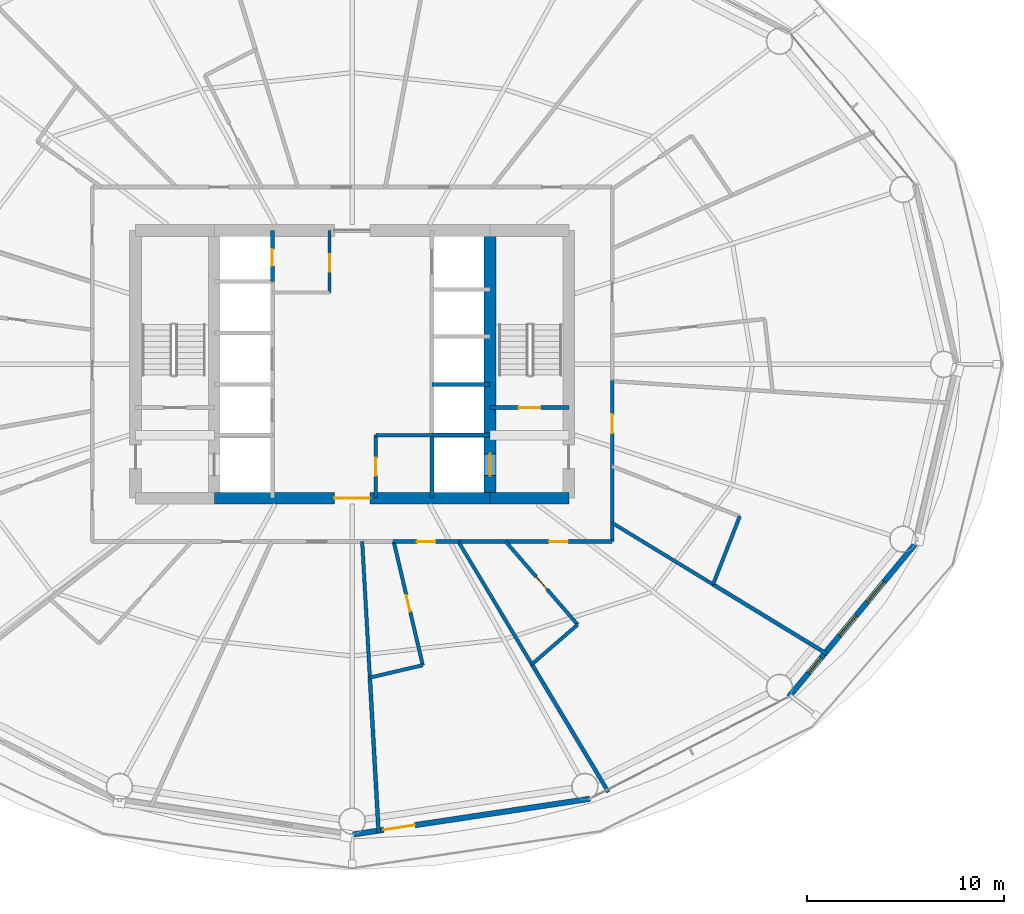
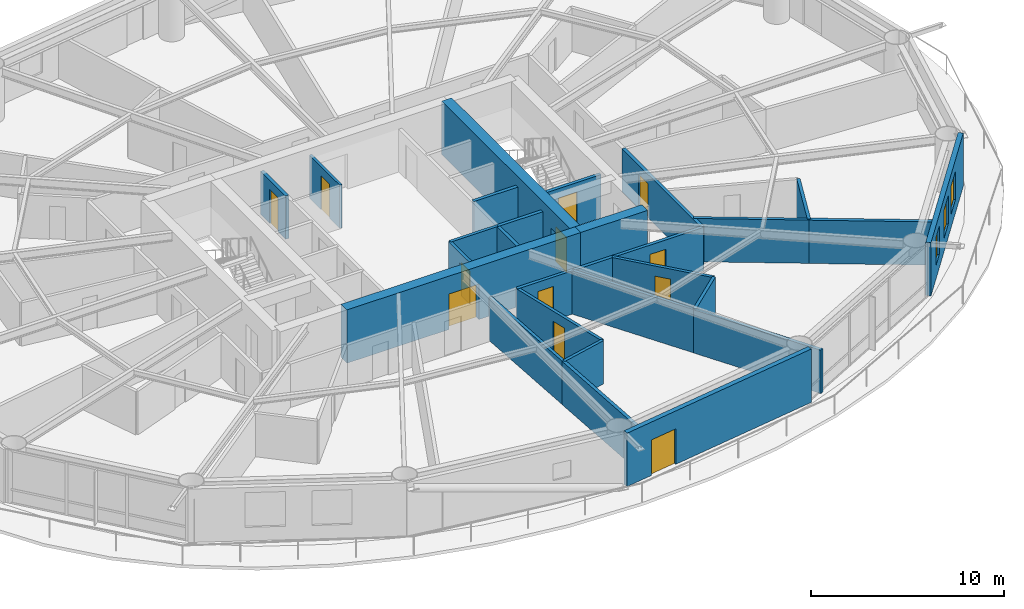
# One storey, part 21 of 26: 27 walls, 12 doors, 3 windows, 15 openings.
"""IFC4 building model written with IfcOpenShell, lengths in metres."""

from ifc_helpers import new_model, si_unit, direction, frame, frame_2d, origin, place, context, subcontext, project, spatial, rectangle, extrude, material, layer, layer_set, type_object, element, fill, save


model = new_model("IFC4")

# Units and contexts
model_context = context("Model", 3, precision=1e-05, world=origin(), true_north=direction((0.0, 1.0)))
body_context = subcontext(model_context, "Body", "Model", "MODEL_VIEW")
ifc_project = project(units=[si_unit("LENGTHUNIT", "METRE"), si_unit("AREAUNIT", "SQUARE_METRE"), si_unit("VOLUMEUNIT", "CUBIC_METRE"), si_unit("PLANEANGLEUNIT", "RADIAN"), si_unit("MASSUNIT", "GRAM", prefix="KILO")], contexts=[model_context])

# Site, building, storey
site_placement = place(None, origin())
site = spatial("IfcSite", under=ifc_project, at=site_placement, CompositionType="ELEMENT")
building_placement = place(site_placement, origin())
building = spatial("IfcBuilding", under=site, at=building_placement, Name="Sarneth Arch Tower", CompositionType="ELEMENT")
storey_placement = place(building_placement, frame((0.0, 0.0, 57.0)))
storey = spatial("IfcBuildingStorey", under=building, at=storey_placement, Name="L13", CompositionType="ELEMENT", Elevation=57.0)

# Wall, opening, door
ifc_material_1 = material(Name="Concrete C60/75", Category="concrete")
ifc_layer_1 = layer(ifc_material_1, 0.60009765625)
ifc_layer_set_1 = layer_set([ifc_layer_1], Name="Concrete C60/75")
wall_type_1 = type_object("IfcWallType", Name="WALL-CORE-600", PredefinedType="SHEAR", material=ifc_layer_set_1)
wall_1_placement = place(storey_placement, frame((41.0, 35.199951171875, 0.0), z_axis=(0.0, 0.0, 1.0), x_axis=(1.0, 0.0, 0.0)))
wall_1 = element("IfcWall", 1, at=wall_1_placement, inside=storey, type_object=wall_type_1, Name="L13 Core shear wall S-M", PredefinedType="SHEAR", context=body_context, shape_type="SweptSolid", body=[
    extrude(rectangle(XDim=14.0, YDim=0.60009765625, at=frame_2d((7.0, 0.0))), origin(), (0.0, 0.0, 1.0), 3.3798828125),
])
opening_1_placement = place(wall_1_placement, frame((6.10009765625, 0.0, 0.0)))
opening_1 = element("IfcOpeningElement", 2, at=opening_1_placement, cuts=wall_1, Name="Opening FD-01", PredefinedType="OPENING", context=body_context, shape_type="SweptSolid", body=[
    extrude(rectangle(XDim=1.800048828125, YDim=2.25, at=frame_2d((0.89990234375, 1.125))), frame((0.0, 0.31005859375, 0.0), z_axis=(0.0, -1.0, 0.0), x_axis=(1.0, 0.0, 0.0)), (0.0, 0.0, 1.0), 0.6201171875),
])
ifc_material_2 = material(Name="Galvanised Steel S275 fire door set", Category="steel")
door_type_1 = type_object("IfcDoorType", Name="DR-FD90-1800", OperationType="DOUBLE_DOOR_SINGLE_SWING", PredefinedType="DOOR", material=ifc_material_2)
door_1_placement = place(opening_1_placement, origin())
door_1 = element("IfcDoor", 3, at=door_1_placement, inside=storey, type_object=door_type_1, Name="L13 Central lift lobby south door", OperationType="DOUBLE_DOOR_SINGLE_SWING", OverallHeight=2.25, OverallWidth=1.800048828125, PredefinedType="DOOR", context=body_context, shape_type="SweptSolid", body=[
    extrude(rectangle(XDim=1.800048828125, YDim=2.25, at=frame_2d((0.89990234375, 1.125))), frame((0.0, 0.02490234375, 0.0), z_axis=(0.0, -1.0, 0.0), x_axis=(1.0, 0.0, 0.0)), (0.0, 0.0, 1.0), 0.050048828125),
])
fill(opening_1, door_1)

# Wall
wall_2_placement = place(storey_placement, frame((55.0, 35.199951171875, 0.0), z_axis=(0.0, 0.0, 1.0), x_axis=(1.0, 0.0, 0.0)))
element("IfcWall", 4, at=wall_2_placement, inside=storey, type_object=wall_type_1, Name="L13 Core shear wall S-E", PredefinedType="SHEAR", context=body_context, shape_type="SweptSolid", body=[
    extrude(rectangle(XDim=4.0, YDim=0.60009765625, at=frame_2d((2.0, 0.0))), origin(), (0.0, 0.0, 1.0), 3.3798828125),
])

# Wall, opening, door
wall_3_placement = place(storey_placement, frame((55.0, 35.199951171875, 0.0), z_axis=(0.0, 0.0, 1.0), x_axis=(0.0, 1.0, 0.0)))
wall_3 = element("IfcWall", 5, at=wall_3_placement, inside=storey, type_object=wall_type_1, Name="L13 Core shear wall WEB-E", PredefinedType="SHEAR", context=body_context, shape_type="SweptSolid", body=[
    extrude(rectangle(XDim=13.60009765625, YDim=0.60009765625, at=frame_2d((6.800048828125, 0.0))), origin(), (0.0, 0.0, 1.0), 3.3798828125),
])
opening_2_placement = place(wall_3_placement, frame((1.14990234375, 0.0, 0.0)))
opening_2 = element("IfcOpeningElement", 6, at=opening_2_placement, cuts=wall_3, Name="Opening LD-1", PredefinedType="OPENING", context=body_context, shape_type="SweptSolid", body=[
    extrude(rectangle(XDim=1.10009765625, YDim=2.199951171875, at=frame_2d((0.550048828125, 1.10009765625))), frame((0.0, 0.31005859375, 0.0), z_axis=(0.0, -1.0, 0.0), x_axis=(1.0, 0.0, 0.0)), (0.0, 0.0, 1.0), 0.6201171875),
])
ifc_material_3 = material(Name="Brushed Stainless Steel 304 lift landing door", Category="steel")
door_type_2 = type_object("IfcDoorType", Name="DR-LIFT-SLIDE-1100", OperationType="SLIDING_TO_LEFT", PredefinedType="DOOR", material=ifc_material_3)
door_2_placement = place(opening_2_placement, origin())
door_2 = element("IfcDoor", 7, at=door_2_placement, inside=storey, type_object=door_type_2, Name="L13 Firefighting lift landing door FL-2", OperationType="SLIDING_TO_RIGHT", OverallHeight=2.199951171875, OverallWidth=1.10009765625, PredefinedType="DOOR", context=body_context, shape_type="SweptSolid", body=[
    extrude(rectangle(XDim=1.10009765625, YDim=2.199951171875, at=frame_2d((0.550048828125, 1.10009765625))), frame((0.0, 0.02490234375, 0.0), z_axis=(0.0, -1.0, 0.0), x_axis=(1.0, 0.0, 0.0)), (0.0, 0.0, 1.0), 0.050048828125),
])
fill(opening_2, door_2)

ifc_material_4 = material(Name="Double steel-stud corridor fire wall", Category="steel")
ifc_layer_2 = layer(ifc_material_4, 0.18994140625)
ifc_layer_set_2 = layer_set([ifc_layer_2], Name="Double steel-stud corridor fire wall")
wall_type_2 = type_object("IfcWallType", Name="WALL-CORR-190", PredefinedType="PARTITIONING", material=ifc_layer_set_2)
wall_4_placement = place(storey_placement, frame((61.199951171875, 33.0, 0.0), z_axis=(0.0, 0.0, 1.0), x_axis=(-1.0, 0.0, 0.0)))
wall_4 = element("IfcWall", 8, at=wall_4_placement, inside=storey, type_object=wall_type_2, Name="L13 Interior partition W-L13-TP-022", PredefinedType="PARTITIONING", context=body_context, shape_type="SweptSolid", body=[
    extrude(rectangle(XDim=7.845947265625, YDim=0.18994140625, at=frame_2d((3.9228515625, 0.0))), origin(), (0.0, 0.0, 1.0), 2.739990234375),
])
opening_3_placement = place(wall_4_placement, frame((2.249267578125, 0.0, 0.0)))
opening_3 = element("IfcOpeningElement", 9, at=opening_3_placement, cuts=wall_4, Name="Opening FD-09", PredefinedType="OPENING", context=body_context, shape_type="SweptSolid", body=[
    extrude(rectangle(XDim=0.949951171875, YDim=2.14990234375, at=frame_2d((0.47509765625, 1.074951171875))), frame((0.0, 0.10498046875, 0.0), z_axis=(0.0, -1.0, 0.0), x_axis=(1.0, 0.0, 0.0)), (0.0, 0.0, 1.0), 0.2099609375),
])
ifc_material_5 = material(Name="Hardwood timber hotel entrance fire door", Category="wood")
door_type_3 = type_object("IfcDoorType", Name="DR-FD60-950", OperationType="SINGLE_SWING_RIGHT", PredefinedType="DOOR", material=ifc_material_5)
door_3_placement = place(opening_3_placement, origin())
door_3 = element("IfcDoor", 10, at=door_3_placement, inside=storey, type_object=door_type_3, Name="L13 Interior door DR-L13-KEY-11", OperationType="SINGLE_SWING_LEFT", OverallHeight=2.14990234375, OverallWidth=0.949951171875, PredefinedType="DOOR", context=body_context, shape_type="SweptSolid", body=[
    extrude(rectangle(XDim=0.949951171875, YDim=2.14990234375, at=frame_2d((0.47509765625, 1.074951171875))), frame((0.0, 0.02490234375, 0.0), z_axis=(0.0, -1.0, 0.0), x_axis=(1.0, 0.0, 0.0)), (0.0, 0.0, 1.0), 0.050048828125),
])
fill(opening_3, door_3)

wall_5_placement = place(storey_placement, frame((61.199951171875, 41.180419921875, 0.0), z_axis=(0.0, 0.0, 1.0), x_axis=(0.0, -1.0, 0.0)))
wall_5 = element("IfcWall", 11, at=wall_5_placement, inside=storey, type_object=wall_type_2, Name="L13 Interior partition W-L13-TP-024", PredefinedType="PARTITIONING", context=body_context, shape_type="SweptSolid", body=[
    extrude(rectangle(XDim=8.180419921875, YDim=0.18994140625, at=frame_2d((4.09033203125, 0.0))), origin(), (0.0, 0.0, 1.0), 2.739990234375),
])
opening_4_placement = place(wall_5_placement, frame((1.720947265625, 0.0, 0.0)))
opening_4 = element("IfcOpeningElement", 12, at=opening_4_placement, cuts=wall_5, Name="Opening FD-09", PredefinedType="OPENING", context=body_context, shape_type="SweptSolid", body=[
    extrude(rectangle(XDim=0.949951171875, YDim=2.14990234375, at=frame_2d((0.47509765625, 1.074951171875))), frame((0.0, 0.10498046875, 0.0), z_axis=(0.0, -1.0, 0.0), x_axis=(1.0, 0.0, 0.0)), (0.0, 0.0, 1.0), 0.2099609375),
])
door_4_placement = place(opening_4_placement, origin())
door_4 = element("IfcDoor", 13, at=door_4_placement, inside=storey, type_object=door_type_3, Name="L13 Interior door DR-L13-KEY-12", OperationType="SINGLE_SWING_RIGHT", OverallHeight=2.14990234375, OverallWidth=0.949951171875, PredefinedType="DOOR", context=body_context, shape_type="SweptSolid", body=[
    extrude(rectangle(XDim=0.949951171875, YDim=2.14990234375, at=frame_2d((0.47509765625, 1.074951171875))), frame((0.0, 0.02490234375, 0.0), z_axis=(0.0, -1.0, 0.0), x_axis=(1.0, 0.0, 0.0)), (0.0, 0.0, 1.0), 0.050048828125),
])
fill(opening_4, door_4)

wall_6_placement = place(storey_placement, frame((53.4287109375, 33.0, 0.0), z_axis=(0.0, 0.0, 1.0), x_axis=(-1.0, 0.0, 0.0)))
wall_6 = element("IfcWall", 14, at=wall_6_placement, inside=storey, type_object=wall_type_2, Name="L13 Interior partition W-L13-TP-019", PredefinedType="PARTITIONING", context=body_context, shape_type="SweptSolid", body=[
    extrude(rectangle(XDim=3.350830078125, YDim=0.18994140625, at=frame_2d((1.67529296875, 0.0))), origin(), (0.0, 0.0, 1.0), 2.739990234375),
])
opening_5_placement = place(wall_6_placement, frame((1.2001953125, 0.0, 0.0)))
opening_5 = element("IfcOpeningElement", 15, at=opening_5_placement, cuts=wall_6, Name="Opening FD-09", PredefinedType="OPENING", context=body_context, shape_type="SweptSolid", body=[
    extrude(rectangle(XDim=0.949951171875, YDim=2.14990234375, at=frame_2d((0.47509765625, 1.074951171875))), frame((0.0, 0.10498046875, 0.0), z_axis=(0.0, -1.0, 0.0), x_axis=(1.0, 0.0, 0.0)), (0.0, 0.0, 1.0), 0.2099609375),
])
door_5_placement = place(opening_5_placement, origin())
door_5 = element("IfcDoor", 16, at=door_5_placement, inside=storey, type_object=door_type_3, Name="L13 Interior door DR-L13-KEY-10", OperationType="SINGLE_SWING_LEFT", OverallHeight=2.14990234375, OverallWidth=0.949951171875, PredefinedType="DOOR", context=body_context, shape_type="SweptSolid", body=[
    extrude(rectangle(XDim=0.949951171875, YDim=2.14990234375, at=frame_2d((0.47509765625, 1.074951171875))), frame((0.0, 0.02490234375, 0.0), z_axis=(0.0, -1.0, 0.0), x_axis=(1.0, 0.0, 0.0)), (0.0, 0.0, 1.0), 0.050048828125),
])
fill(opening_5, door_5)

ifc_material_6 = material(Name="Extruded terracotta rainscreen on Concrete C40/50 backing", Category="masonry")
ifc_layer_3 = layer(ifc_material_6, 0.280029296875)
ifc_layer_set_3 = layer_set([ifc_layer_3], Name="Extruded terracotta rainscreen on Concrete C40/50 backing")
wall_type_3 = type_object("IfcWallType", Name="WALL-EXT-TERRA-280", PredefinedType="SOLIDWALL", material=ifc_layer_set_3)
wall_7_placement = place(storey_placement, frame((48.0, 18.1201171875, 0.0), z_axis=(0.0, 0.0, 1.0), x_axis=(0.988864835849, 0.148816452121, 0.0)))
wall_7 = element("IfcWall", 17, at=wall_7_placement, inside=storey, type_object=wall_type_3, Name="L13 Terracotta perimeter wall 13", PredefinedType="SOLIDWALL", context=body_context, shape_type="SweptSolid", body=[
    extrude(rectangle(XDim=12.2138671875, YDim=0.280029296875, at=frame_2d((6.10693359375, 0.0))), origin(), (0.0, 0.0, 1.0), 3.3798828125),
])
opening_6_placement = place(wall_7_placement, frame((1.62060546875, 0.0, 0.0)))
opening_6 = element("IfcOpeningElement", 18, at=opening_6_placement, cuts=wall_7, Name="Opening BD-1", PredefinedType="OPENING", context=body_context, shape_type="SweptSolid", body=[
    extrude(rectangle(XDim=1.60009765625, YDim=2.25, at=frame_2d((0.800048828125, 1.125))), frame((0.0, 0.14990234375, 0.0), z_axis=(0.0, -1.0, 0.0), x_axis=(1.0, 0.0, 0.0)), (0.0, 0.0, 1.0), 0.300048828125),
])
ifc_material_7 = material(Name="Thermally broken Aluminium 6063-T6 and laminated safety glass", Category="aluminium")
door_type_4 = type_object("IfcDoorType", Name="DR-BALC-GLZ-1600", OperationType="DOUBLE_DOOR_SINGLE_SWING", PredefinedType="DOOR", material=ifc_material_7)
door_6_placement = place(opening_6_placement, origin())
door_6 = element("IfcDoor", 19, at=door_6_placement, inside=storey, type_object=door_type_4, Name="L13 Balcony glazed door 13", OperationType="DOUBLE_DOOR_SINGLE_SWING", OverallHeight=2.25, OverallWidth=1.60009765625, PredefinedType="DOOR", context=body_context, shape_type="SweptSolid", body=[
    extrude(rectangle(XDim=1.60009765625, YDim=2.25, at=frame_2d((0.800048828125, 1.125))), frame((0.0, 0.02490234375, 0.0), z_axis=(0.0, -1.0, 0.0), x_axis=(1.0, 0.0, 0.0)), (0.0, 0.0, 1.0), 0.050048828125),
])
fill(opening_6, door_6)

# Wall, openings, windows
wall_8_placement = place(storey_placement, frame((70.174072265625, 25.1142578125, 0.0), z_axis=(0.0, 0.0, 1.0), x_axis=(0.637296809613, 0.770618437657, 0.0)))
wall_8 = element("IfcWall", 20, at=wall_8_placement, inside=storey, type_object=wall_type_3, Name="L13 Terracotta perimeter wall 15", PredefinedType="SOLIDWALL", context=body_context, shape_type="SweptSolid", body=[
    extrude(rectangle(XDim=10.053466796875, YDim=0.280029296875, at=frame_2d((5.02685546875, 0.0))), origin(), (0.0, 0.0, 1.0), 3.3798828125),
])
opening_7_placement = place(wall_8_placement, frame((1.565185546875, 0.0, 0.85009765625)))
opening_7 = element("IfcOpeningElement", 21, at=opening_7_placement, cuts=wall_8, Name="Opening W-11", PredefinedType="OPENING", context=body_context, shape_type="SweptSolid", body=[
    extrude(rectangle(XDim=1.0, YDim=1.800048828125, at=frame_2d((0.5, 0.89990234375))), frame((0.0, 0.14990234375, 0.0), z_axis=(0.0, -1.0, 0.0), x_axis=(1.0, 0.0, 0.0)), (0.0, 0.0, 1.0), 0.300048828125),
])
opening_8_placement = place(wall_8_placement, frame((4.02978515625, 0.0, 0.85009765625)))
opening_8 = element("IfcOpeningElement", 22, at=opening_8_placement, cuts=wall_8, Name="Opening W-08", PredefinedType="OPENING", context=body_context, shape_type="SweptSolid", body=[
    extrude(rectangle(XDim=1.35009765625, YDim=1.800048828125, at=frame_2d((0.675048828125, 0.89990234375))), frame((0.0, 0.14990234375, 0.0), z_axis=(0.0, -1.0, 0.0), x_axis=(1.0, 0.0, 0.0)), (0.0, 0.0, 1.0), 0.300048828125),
])
opening_9_placement = place(wall_8_placement, frame((6.24560546875, 0.0, 0.85009765625)))
opening_9 = element("IfcOpeningElement", 23, at=opening_9_placement, cuts=wall_8, Name="Opening W-08", PredefinedType="OPENING", context=body_context, shape_type="SweptSolid", body=[
    extrude(rectangle(XDim=1.35009765625, YDim=1.800048828125, at=frame_2d((0.675048828125, 0.89990234375))), frame((0.0, 0.14990234375, 0.0), z_axis=(0.0, -1.0, 0.0), x_axis=(1.0, 0.0, 0.0)), (0.0, 0.0, 1.0), 0.300048828125),
])
ifc_material_8 = material(Name="Thermally broken Aluminium 6063-T6 and low-e laminated IGU", Category="aluminium")
window_type_1 = type_object("IfcWindowType", Name="WIN-TWR-1000x1800", PartitioningType="SINGLE_PANEL", PredefinedType="WINDOW", material=ifc_material_8)
window_1_placement = place(opening_7_placement, origin())
window_1 = element("IfcWindow", 24, at=window_1_placement, inside=storey, type_object=window_type_1, Name="L13 Exterior window 15A", OverallHeight=1.800048828125, OverallWidth=1.0, PartitioningType="SINGLE_PANEL", PredefinedType="WINDOW", context=body_context, shape_type="SweptSolid", body=[
    extrude(rectangle(XDim=1.0, YDim=1.800048828125, at=frame_2d((0.5, 0.89990234375))), frame((0.0, 0.030029296875, 0.0), z_axis=(0.0, -1.0, 0.0), x_axis=(1.0, 0.0, 0.0)), (0.0, 0.0, 1.0), 0.06005859375),
])
fill(opening_7, window_1)
ifc_material_9 = material(Name="Thermally broken Aluminium 6063-T6 and low-e laminated IGU", Category="aluminium")
window_type_2 = type_object("IfcWindowType", Name="WIN-TWR-1350x1800", PartitioningType="SINGLE_PANEL", PredefinedType="WINDOW", material=ifc_material_9)
window_2_placement = place(opening_8_placement, origin())
window_2 = element("IfcWindow", 25, at=window_2_placement, inside=storey, type_object=window_type_2, Name="L13 Exterior window 15B", OverallHeight=1.800048828125, OverallWidth=1.35009765625, PartitioningType="SINGLE_PANEL", PredefinedType="WINDOW", context=body_context, shape_type="SweptSolid", body=[
    extrude(rectangle(XDim=1.35009765625, YDim=1.800048828125, at=frame_2d((0.675048828125, 0.89990234375))), frame((0.0, 0.030029296875, 0.0), z_axis=(0.0, -1.0, 0.0), x_axis=(1.0, 0.0, 0.0)), (0.0, 0.0, 1.0), 0.06005859375),
])
fill(opening_8, window_2)
window_3_placement = place(opening_9_placement, origin())
window_3 = element("IfcWindow", 26, at=window_3_placement, inside=storey, type_object=window_type_2, Name="L13 Exterior window 15C", OverallHeight=1.800048828125, OverallWidth=1.35009765625, PartitioningType="SINGLE_PANEL", PredefinedType="WINDOW", context=body_context, shape_type="SweptSolid", body=[
    extrude(rectangle(XDim=1.35009765625, YDim=1.800048828125, at=frame_2d((0.675048828125, 0.89990234375))), frame((0.0, 0.030029296875, 0.0), z_axis=(0.0, -1.0, 0.0), x_axis=(1.0, 0.0, 0.0)), (0.0, 0.0, 1.0), 0.06005859375),
])
fill(opening_9, window_3)

# Wall, opening, door
ifc_material_10 = material(Name="Acoustic gypsum stud partition", Category="gypsum")
ifc_layer_4 = layer(ifc_material_10, 0.14990234375)
ifc_layer_set_4 = layer_set([ifc_layer_4], Name="Acoustic gypsum stud partition")
wall_type_4 = type_object("IfcWallType", Name="WALL-PART-150", PredefinedType="PARTITIONING", material=ifc_layer_set_4)
wall_9_placement = place(storey_placement, frame((46.85009765625, 45.64990234375, 0.0), z_axis=(0.0, 0.0, 1.0), x_axis=(0.0, 1.0, 0.0)))
wall_9 = element("IfcWall", 27, at=wall_9_placement, inside=storey, type_object=wall_type_4, Name="L13 Interior partition W-L13-CSUP1-E", PredefinedType="PARTITIONING", context=body_context, shape_type="SweptSolid", body=[
    extrude(rectangle(XDim=3.150146484375, YDim=0.14990234375, at=frame_2d((1.5751953125, 0.0))), origin(), (0.0, 0.0, 1.0), 2.739990234375),
])
opening_10_placement = place(wall_9_placement, frame((1.050048828125, 0.0, 0.0)))
opening_10 = element("IfcOpeningElement", 28, at=opening_10_placement, cuts=wall_9, Name="Opening FD-10", PredefinedType="OPENING", context=body_context, shape_type="SweptSolid", body=[
    extrude(rectangle(XDim=0.89990234375, YDim=2.14990234375, at=frame_2d((0.449951171875, 1.074951171875))), frame((0.0, 0.0849609375, 0.0), z_axis=(0.0, -1.0, 0.0), x_axis=(1.0, 0.0, 0.0)), (0.0, 0.0, 1.0), 0.169921875),
])
ifc_material_11 = material(Name="Galvanised Steel S275 riser/service fire door", Category="steel")
door_type_5 = type_object("IfcDoorType", Name="DR-FD60-900", OperationType="SINGLE_SWING_LEFT", PredefinedType="DOOR", material=ifc_material_11)
door_7_placement = place(opening_10_placement, origin())
door_7 = element("IfcDoor", 29, at=door_7_placement, inside=storey, type_object=door_type_5, Name="L13 Interior door DR-L13-CSUP1", OperationType="SINGLE_SWING_LEFT", OverallHeight=2.14990234375, OverallWidth=0.89990234375, PredefinedType="DOOR", context=body_context, shape_type="SweptSolid", body=[
    extrude(rectangle(XDim=0.89990234375, YDim=2.14990234375, at=frame_2d((0.449951171875, 1.074951171875))), frame((0.0, 0.02490234375, 0.0), z_axis=(0.0, -1.0, 0.0), x_axis=(1.0, 0.0, 0.0)), (0.0, 0.0, 1.0), 0.050048828125),
])
fill(opening_10, door_7)

# Wall
ifc_material_12 = material(Name="Moisture-resistant plumbing chase wall", Category="gypsum")
ifc_layer_5 = layer(ifc_material_12, 0.179931640625)
ifc_layer_set_5 = layer_set([ifc_layer_5], Name="Moisture-resistant plumbing chase wall")
wall_type_5 = type_object("IfcWallType", Name="WALL-PLUMB-180", PredefinedType="PLUMBINGWALL", material=ifc_layer_set_5)
wall_10_placement = place(storey_placement, frame((49.199951171875, 38.39990234375, 0.0), z_axis=(0.0, 0.0, 1.0), x_axis=(1.0, 0.0, 0.0)))
element("IfcWall", 30, at=wall_10_placement, inside=storey, type_object=wall_type_5, Name="L13 Interior partition W-L13-AWC-N", PredefinedType="PLUMBINGWALL", context=body_context, shape_type="SweptSolid", body=[
    extrude(rectangle(XDim=2.85009765625, YDim=0.179931640625, at=frame_2d((1.425048828125, 0.0))), origin(), (0.0, 0.0, 1.0), 2.739990234375),
])

# Wall, opening, door
wall_11_placement = place(storey_placement, frame((49.199951171875, 35.199951171875, 0.0), z_axis=(0.0, 0.0, 1.0), x_axis=(0.0, 1.0, 0.0)))
wall_11 = element("IfcWall", 31, at=wall_11_placement, inside=storey, type_object=wall_type_5, Name="L13 Interior partition W-L13-AWC-W", PredefinedType="PLUMBINGWALL", context=body_context, shape_type="SweptSolid", body=[
    extrude(rectangle(XDim=3.199951171875, YDim=0.179931640625, at=frame_2d((1.60009765625, 0.0))), origin(), (0.0, 0.0, 1.0), 2.739990234375),
])
opening_11_placement = place(wall_11_placement, frame((1.14990234375, 0.0, 0.0)))
opening_11 = element("IfcOpeningElement", 32, at=opening_11_placement, cuts=wall_11, Name="Opening ID-01", PredefinedType="OPENING", context=body_context, shape_type="SweptSolid", body=[
    extrude(rectangle(XDim=0.89990234375, YDim=2.10009765625, at=frame_2d((0.449951171875, 1.050048828125))), frame((0.0, 0.099853515625, 0.0), z_axis=(0.0, -1.0, 0.0), x_axis=(1.0, 0.0, 0.0)), (0.0, 0.0, 1.0), 0.199951171875),
])
ifc_material_13 = material(Name="Engineered hardwood flush door", Category="wood")
door_type_6 = type_object("IfcDoorType", Name="DR-INT-900", OperationType="SINGLE_SWING_LEFT", PredefinedType="DOOR", material=ifc_material_13)
door_8_placement = place(opening_11_placement, origin())
door_8 = element("IfcDoor", 33, at=door_8_placement, inside=storey, type_object=door_type_6, Name="L13 Interior door DR-L13-AWC", OperationType="SINGLE_SWING_RIGHT", OverallHeight=2.10009765625, OverallWidth=0.89990234375, PredefinedType="DOOR", context=body_context, shape_type="SweptSolid", body=[
    extrude(rectangle(XDim=0.89990234375, YDim=2.10009765625, at=frame_2d((0.449951171875, 1.050048828125))), frame((0.0, 0.02490234375, 0.0), z_axis=(0.0, -1.0, 0.0), x_axis=(1.0, 0.0, 0.0)), (0.0, 0.0, 1.0), 0.050048828125),
])
fill(opening_11, door_8)

# Walls
wall_12_placement = place(storey_placement, frame((57.123779296875, 26.76904296875, 0.0), z_axis=(0.0, 0.0, 1.0), x_axis=(-0.513872793929, 0.857866394994, 0.0)))
element("IfcWall", 34, at=wall_12_placement, inside=storey, type_object=wall_type_5, Name="L13 Interior partition W-L13-TP-060", PredefinedType="PLUMBINGWALL", context=body_context, shape_type="SweptSolid", body=[
    extrude(rectangle(XDim=7.263427734375, YDim=0.179931640625, at=frame_2d((3.6318359375, 0.0))), origin(), (0.0, 0.0, 1.0), 2.739990234375),
])
wall_13_placement = place(storey_placement, frame((48.89794921875, 26.09228515625, 0.0), z_axis=(0.0, 0.0, 1.0), x_axis=(-0.056353367692, 0.998410886334, 0.0)))
element("IfcWall", 35, at=wall_13_placement, inside=storey, type_object=wall_type_5, Name="L13 Interior partition W-L13-TP-056", PredefinedType="PLUMBINGWALL", context=body_context, shape_type="SweptSolid", body=[
    extrude(rectangle(XDim=6.918701171875, YDim=0.179931640625, at=frame_2d((3.45947265625, 0.0))), origin(), (0.0, 0.0, 1.0), 2.739990234375),
])

# Wall, opening, door
wall_14_placement = place(storey_placement, frame((50.11083984375, 33.0, 0.0), z_axis=(0.0, 0.0, 1.0), x_axis=(0.228380862789, -0.973571867666, 0.0)))
wall_14 = element("IfcWall", 36, at=wall_14_placement, inside=storey, type_object=wall_type_5, Name="L13 Interior partition W-L13-TP-057", PredefinedType="PLUMBINGWALL", context=body_context, shape_type="SweptSolid", body=[
    extrude(rectangle(XDim=6.4482421875, YDim=0.179931640625, at=frame_2d((3.22412109375, 0.0))), origin(), (0.0, 0.0, 1.0), 2.739990234375),
])
opening_12_placement = place(wall_14_placement, frame((2.799072265625, 0.0, 0.0)))
opening_12 = element("IfcOpeningElement", 37, at=opening_12_placement, cuts=wall_14, Name="Opening ID-02", PredefinedType="OPENING", context=body_context, shape_type="SweptSolid", body=[
    extrude(rectangle(XDim=0.85009765625, YDim=2.10009765625, at=frame_2d((0.425048828125, 1.050048828125))), frame((0.0, 0.099853515625, 0.0), z_axis=(0.0, -1.0, 0.0), x_axis=(1.0, 0.0, 0.0)), (0.0, 0.0, 1.0), 0.199951171875),
])
ifc_material_14 = material(Name="Moisture-resistant bathroom timber door", Category="wood")
door_type_7 = type_object("IfcDoorType", Name="DR-INT-850", OperationType="SINGLE_SWING_RIGHT", PredefinedType="DOOR", material=ifc_material_14)
door_9_placement = place(opening_12_placement, origin())
door_9 = element("IfcDoor", 38, at=door_9_placement, inside=storey, type_object=door_type_7, Name="L13 Interior door DR-L13-ENS-10", OperationType="SINGLE_SWING_LEFT", OverallHeight=2.10009765625, OverallWidth=0.85009765625, PredefinedType="DOOR", context=body_context, shape_type="SweptSolid", body=[
    extrude(rectangle(XDim=0.85009765625, YDim=2.10009765625, at=frame_2d((0.425048828125, 1.050048828125))), frame((0.0, 0.02490234375, 0.0), z_axis=(0.0, -1.0, 0.0), x_axis=(1.0, 0.0, 0.0)), (0.0, 0.0, 1.0), 0.050048828125),
])
fill(opening_12, door_9)

# Wall
wall_15_placement = place(storey_placement, frame((66.323486328125, 30.822021484375, 0.0), z_axis=(0.0, 0.0, 1.0), x_axis=(-0.853693843866, 0.52077521153, 0.0)))
element("IfcWall", 39, at=wall_15_placement, inside=storey, type_object=wall_type_5, Name="L13 Interior partition W-L13-TP-064", PredefinedType="PLUMBINGWALL", context=body_context, shape_type="SweptSolid", body=[
    extrude(rectangle(XDim=6.001708984375, YDim=0.179931640625, at=frame_2d((3.0009765625, 0.0))), origin(), (0.0, 0.0, 1.0), 2.739990234375),
])

# Wall, opening, door
wall_16_placement = place(storey_placement, frame((55.7939453125, 33.0, 0.0), z_axis=(0.0, 0.0, 1.0), x_axis=(0.654630697525, -0.755948840767, 0.0)))
wall_16 = element("IfcWall", 40, at=wall_16_placement, inside=storey, type_object=wall_type_5, Name="L13 Interior partition W-L13-TP-061", PredefinedType="PLUMBINGWALL", context=body_context, shape_type="SweptSolid", body=[
    extrude(rectangle(XDim=5.580810546875, YDim=0.179931640625, at=frame_2d((2.79052734375, 0.0))), origin(), (0.0, 0.0, 1.0), 2.739990234375),
])
opening_13_placement = place(wall_16_placement, frame((2.365478515625, 0.0, 0.0)))
opening_13 = element("IfcOpeningElement", 41, at=opening_13_placement, cuts=wall_16, Name="Opening ID-02", PredefinedType="OPENING", context=body_context, shape_type="SweptSolid", body=[
    extrude(rectangle(XDim=0.85009765625, YDim=2.10009765625, at=frame_2d((0.425048828125, 1.050048828125))), frame((0.0, 0.099853515625, 0.0), z_axis=(0.0, -1.0, 0.0), x_axis=(1.0, 0.0, 0.0)), (0.0, 0.0, 1.0), 0.199951171875),
])
door_10_placement = place(opening_13_placement, origin())
door_10 = element("IfcDoor", 42, at=door_10_placement, inside=storey, type_object=door_type_7, Name="L13 Interior door DR-L13-ENS-11", OperationType="SINGLE_SWING_LEFT", OverallHeight=2.10009765625, OverallWidth=0.85009765625, PredefinedType="DOOR", context=body_context, shape_type="SweptSolid", body=[
    extrude(rectangle(XDim=0.85009765625, YDim=2.10009765625, at=frame_2d((0.425048828125, 1.050048828125))), frame((0.0, 0.02490234375, 0.0), z_axis=(0.0, -1.0, 0.0), x_axis=(1.0, 0.0, 0.0)), (0.0, 0.0, 1.0), 0.050048828125),
])
fill(opening_13, door_10)

# Walls
wall_17_placement = place(storey_placement, frame((67.680419921875, 34.28125, 0.0), z_axis=(0.0, 0.0, 1.0), x_axis=(-0.365174619735, -0.930939040486, 0.0)))
element("IfcWall", 43, at=wall_17_placement, inside=storey, type_object=wall_type_5, Name="L13 Interior partition W-L13-TP-066", PredefinedType="PLUMBINGWALL", context=body_context, shape_type="SweptSolid", body=[
    extrude(rectangle(XDim=3.7158203125, YDim=0.179931640625, at=frame_2d((1.85791015625, 0.0))), origin(), (0.0, 0.0, 1.0), 2.739990234375),
])
wall_18_placement = place(storey_placement, frame((59.447265625, 28.78125, 0.0), z_axis=(0.0, 0.0, 1.0), x_axis=(-0.755927521829, -0.654655315217, 0.0)))
element("IfcWall", 44, at=wall_18_placement, inside=storey, type_object=wall_type_5, Name="L13 Interior partition W-L13-TP-062", PredefinedType="PLUMBINGWALL", context=body_context, shape_type="SweptSolid", body=[
    extrude(rectangle(XDim=3.07373046875, YDim=0.179931640625, at=frame_2d((1.536865234375, 0.0))), origin(), (0.0, 0.0, 1.0), 2.739990234375),
])
wall_19_placement = place(storey_placement, frame((51.58349609375, 26.72216796875, 0.0), z_axis=(0.0, 0.0, 1.0), x_axis=(-0.973579428385, -0.228348629567, 0.0)))
element("IfcWall", 45, at=wall_19_placement, inside=storey, type_object=wall_type_5, Name="L13 Interior partition W-L13-TP-058", PredefinedType="PLUMBINGWALL", context=body_context, shape_type="SweptSolid", body=[
    extrude(rectangle(XDim=2.758544921875, YDim=0.179931640625, at=frame_2d((1.37939453125, 0.0))), origin(), (0.0, 0.0, 1.0), 2.739990234375),
])

# Wall, opening, door
ifc_material_15 = material(Name="Aerated concrete blockwork C25/30", Category="masonry")
ifc_layer_6 = layer(ifc_material_15, 0.199951171875)
ifc_layer_set_6 = layer_set([ifc_layer_6], Name="Aerated concrete blockwork C25/30")
wall_type_6 = type_object("IfcWallType", Name="WALL-SHAFT-200", PredefinedType="SOLIDWALL", material=ifc_layer_set_6)
wall_20_placement = place(storey_placement, frame((55.0, 39.800048828125, 0.0), z_axis=(0.0, 0.0, 1.0), x_axis=(1.0, 0.0, 0.0)))
wall_20 = element("IfcWall", 46, at=wall_20_placement, inside=storey, type_object=wall_type_6, Name="L13 Interior partition W-L13-ST2-S", PredefinedType="SOLIDWALL", context=body_context, shape_type="SweptSolid", body=[
    extrude(rectangle(XDim=4.0, YDim=0.199951171875, at=frame_2d((2.0, 0.0))), origin(), (0.0, 0.0, 1.0), 2.739990234375),
])
opening_14_placement = place(wall_20_placement, frame((1.449951171875, 0.0, 0.0)))
opening_14 = element("IfcOpeningElement", 47, at=opening_14_placement, cuts=wall_20, Name="Opening FD-03", PredefinedType="OPENING", context=body_context, shape_type="SweptSolid", body=[
    extrude(rectangle(XDim=1.10009765625, YDim=2.14990234375, at=frame_2d((0.550048828125, 1.074951171875))), frame((0.0, 0.10986328125, 0.0), z_axis=(0.0, -1.0, 0.0), x_axis=(1.0, 0.0, 0.0)), (0.0, 0.0, 1.0), 0.219970703125),
])
ifc_material_16 = material(Name="Galvanised Steel S275 fire door set", Category="steel")
door_type_8 = type_object("IfcDoorType", Name="DR-FD90-1100", OperationType="SINGLE_SWING_LEFT", PredefinedType="DOOR", material=ifc_material_16)
door_11_placement = place(opening_14_placement, origin())
door_11 = element("IfcDoor", 48, at=door_11_placement, inside=storey, type_object=door_type_8, Name="L13 Interior door DR-L13-ST2", OperationType="SINGLE_SWING_RIGHT", OverallHeight=2.14990234375, OverallWidth=1.10009765625, PredefinedType="DOOR", context=body_context, shape_type="SweptSolid", body=[
    extrude(rectangle(XDim=1.10009765625, YDim=2.14990234375, at=frame_2d((0.550048828125, 1.074951171875))), frame((0.0, 0.02490234375, 0.0), z_axis=(0.0, -1.0, 0.0), x_axis=(1.0, 0.0, 0.0)), (0.0, 0.0, 1.0), 0.050048828125),
])
fill(opening_14, door_11)

# Walls
wall_21_placement = place(storey_placement, frame((52.050048828125, 35.199951171875, 0.0), z_axis=(0.0, 0.0, 1.0), x_axis=(0.0, 1.0, 0.0)))
element("IfcWall", 49, at=wall_21_placement, inside=storey, type_object=wall_type_6, Name="L13 Interior partition W-L13-FL2-W", PredefinedType="SOLIDWALL", context=body_context, shape_type="SweptSolid", body=[
    extrude(rectangle(XDim=3.199951171875, YDim=0.199951171875, at=frame_2d((1.60009765625, 0.0))), origin(), (0.0, 0.0, 1.0), 2.739990234375),
])
wall_22_placement = place(storey_placement, frame((52.050048828125, 38.39990234375, 0.0), z_axis=(0.0, 0.0, 1.0), x_axis=(1.0, 0.0, 0.0)))
element("IfcWall", 50, at=wall_22_placement, inside=storey, type_object=wall_type_6, Name="L13 Interior partition W-L13-FL2-N", PredefinedType="SOLIDWALL", context=body_context, shape_type="SweptSolid", body=[
    extrude(rectangle(XDim=2.949951171875, YDim=0.199951171875, at=frame_2d((1.47509765625, 0.0))), origin(), (0.0, 0.0, 1.0), 2.739990234375),
])

# Wall, opening, door
wall_23_placement = place(storey_placement, frame((43.949951171875, 46.199951171875, 0.0), z_axis=(0.0, 0.0, 1.0), x_axis=(0.0, 1.0, 0.0)))
wall_23 = element("IfcWall", 51, at=wall_23_placement, inside=storey, type_object=wall_type_6, Name="L13 Interior partition W-L13-RISER-E", PredefinedType="SOLIDWALL", context=body_context, shape_type="SweptSolid", body=[
    extrude(rectangle(XDim=2.60009765625, YDim=0.199951171875, at=frame_2d((1.300048828125, 0.0))), origin(), (0.0, 0.0, 1.0), 2.739990234375),
])
opening_15_placement = place(wall_23_placement, frame((0.800048828125, 0.0, 0.0)))
opening_15 = element("IfcOpeningElement", 52, at=opening_15_placement, cuts=wall_23, Name="Opening FD-11", PredefinedType="OPENING", context=body_context, shape_type="SweptSolid", body=[
    extrude(rectangle(XDim=0.85009765625, YDim=2.14990234375, at=frame_2d((0.425048828125, 1.074951171875))), frame((0.0, 0.10986328125, 0.0), z_axis=(0.0, -1.0, 0.0), x_axis=(1.0, 0.0, 0.0)), (0.0, 0.0, 1.0), 0.219970703125),
])
ifc_material_17 = material(Name="Galvanised Steel S275 closet fire door", Category="steel")
door_type_9 = type_object("IfcDoorType", Name="DR-FD60-850", OperationType="SINGLE_SWING_LEFT", PredefinedType="DOOR", material=ifc_material_17)
door_12_placement = place(opening_15_placement, origin())
door_12 = element("IfcDoor", 53, at=door_12_placement, inside=storey, type_object=door_type_9, Name="L13 Lift landing door DR-L13-RISER", OperationType="SINGLE_SWING_LEFT", OverallHeight=2.14990234375, OverallWidth=0.85009765625, PredefinedType="DOOR", context=body_context, shape_type="SweptSolid", body=[
    extrude(rectangle(XDim=0.85009765625, YDim=2.14990234375, at=frame_2d((0.425048828125, 1.074951171875))), frame((0.0, 0.02490234375, 0.0), z_axis=(0.0, -1.0, 0.0), x_axis=(1.0, 0.0, 0.0)), (0.0, 0.0, 1.0), 0.050048828125),
])
fill(opening_15, door_12)

# Walls
wall_24_placement = place(storey_placement, frame((52.050048828125, 40.97998046875, 0.0), z_axis=(0.0, 0.0, 1.0), x_axis=(1.0, 0.0, 0.0)))
element("IfcWall", 54, at=wall_24_placement, inside=storey, type_object=wall_type_6, Name="L13 Interior partition W-L13-EB-DIV-4098", PredefinedType="SOLIDWALL", context=body_context, shape_type="SweptSolid", body=[
    extrude(rectangle(XDim=2.949951171875, YDim=0.199951171875, at=frame_2d((1.47509765625, 0.0))), origin(), (0.0, 0.0, 1.0), 2.739990234375),
])
ifc_material_18 = material(Name="Double steel-stud acoustic drywall", Category="steel")
ifc_layer_7 = layer(ifc_material_18, 0.199951171875)
ifc_layer_set_7 = layer_set([ifc_layer_7], Name="Double steel-stud acoustic drywall")
wall_type_7 = type_object("IfcWallType", Name="WALL-UNIT-200", PredefinedType="PARTITIONING", material=ifc_layer_set_7)
wall_25_placement = place(storey_placement, frame((49.343505859375, 18.201416015625, 0.0), z_axis=(0.0, 0.0, 1.0), x_axis=(-0.056375038978, 0.998409662904, 0.0)))
element("IfcWall", 55, at=wall_25_placement, inside=storey, type_object=wall_type_7, Name="L13 Interior partition W-L13-TP-055", PredefinedType="PARTITIONING", context=body_context, shape_type="SweptSolid", body=[
    extrude(rectangle(XDim=7.9033203125, YDim=0.199951171875, at=frame_2d((3.95166015625, 0.0))), origin(), (0.0, 0.0, 1.0), 2.739990234375),
])
wall_26_placement = place(storey_placement, frame((61.01025390625, 20.28125, 0.0), z_axis=(0.0, 0.0, 1.0), x_axis=(-0.513892719639, 0.857854458928, 0.0)))
element("IfcWall", 56, at=wall_26_placement, inside=storey, type_object=wall_type_7, Name="L13 Interior partition W-L13-TP-059", PredefinedType="PARTITIONING", context=body_context, shape_type="SweptSolid", body=[
    extrude(rectangle(XDim=7.562744140625, YDim=0.199951171875, at=frame_2d((3.78125, 0.0))), origin(), (0.0, 0.0, 1.0), 2.739990234375),
])
wall_27_placement = place(storey_placement, frame((72.122802734375, 27.2841796875, 0.0), z_axis=(0.0, 0.0, 1.0), x_axis=(-0.853686673388, 0.520786965735, 0.0)))
element("IfcWall", 57, at=wall_27_placement, inside=storey, type_object=wall_type_7, Name="L13 Interior partition W-L13-TP-063", PredefinedType="PARTITIONING", context=body_context, shape_type="SweptSolid", body=[
    extrude(rectangle(XDim=6.793212890625, YDim=0.199951171875, at=frame_2d((3.396484375, 0.0))), origin(), (0.0, 0.0, 1.0), 2.739990234375),
])

save(model, "model.ifc")
